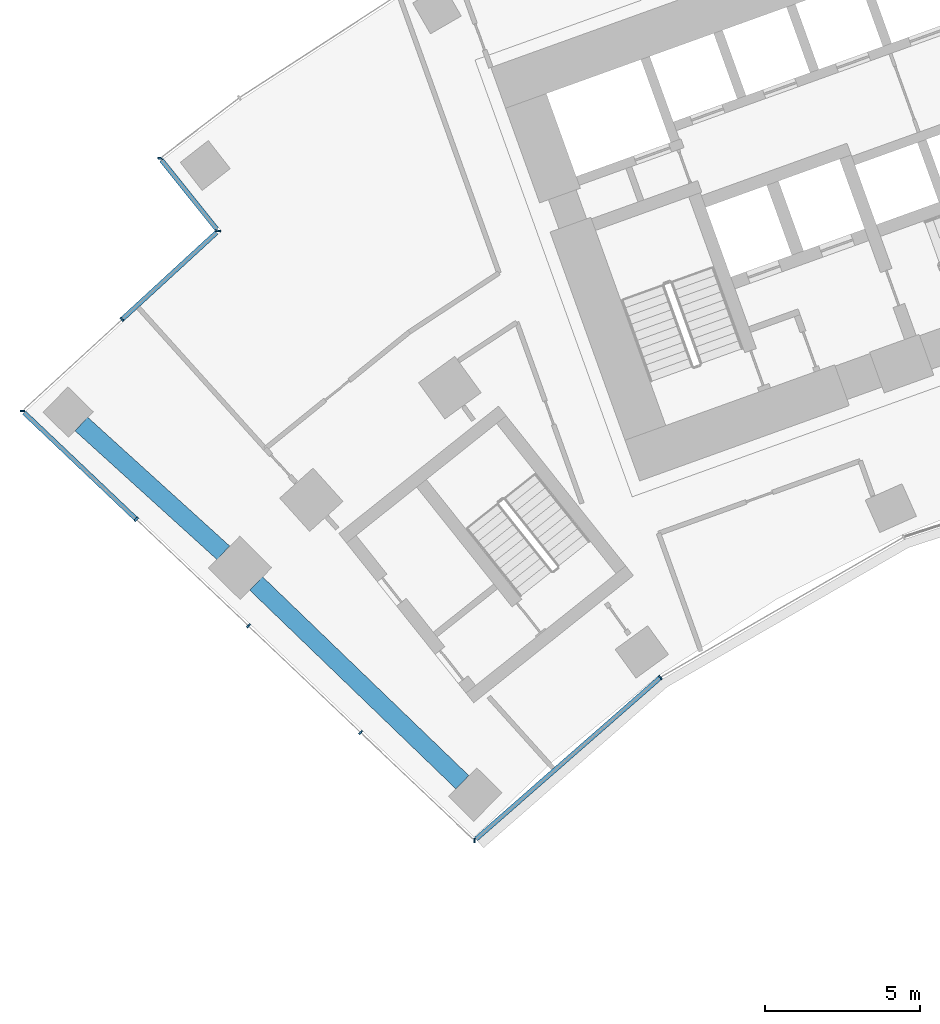
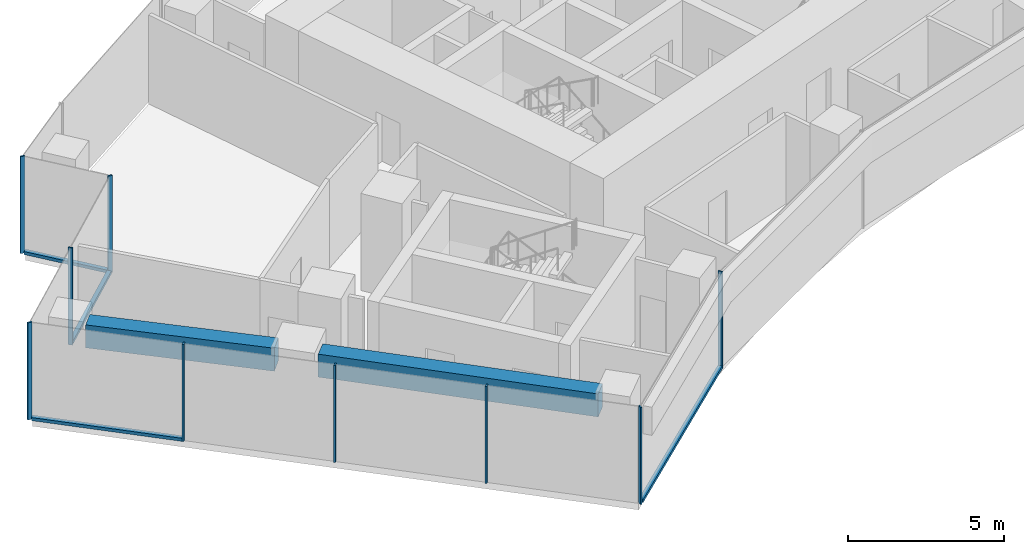
# One storey, part 2 of 19: 13 members, 2 beams, 4 elements without a shape of their own.
"""IFC4 building model written with IfcOpenShell, lengths in metres."""

from ifc_helpers import new_model, si_unit, direction, frame, origin, origin_2d, place, context, subcontext, project, spatial, rectangle, extrude, material, layer, layer_set, material_profile, profile_set, type_object, element, aggregate, save


model = new_model("IFC4")

# Units and contexts
model_context = context("Model", 3, precision=1e-05, world=origin(), true_north=direction((0.0, 1.0)))
body_context = subcontext(model_context, "Body", "Model", "MODEL_VIEW")
ifc_project = project(units=[si_unit("LENGTHUNIT", "METRE"), si_unit("AREAUNIT", "SQUARE_METRE"), si_unit("VOLUMEUNIT", "CUBIC_METRE"), si_unit("PLANEANGLEUNIT", "RADIAN"), si_unit("MASSUNIT", "GRAM", prefix="KILO")], contexts=[model_context])

# Site, building, storey
site_placement = place(None, origin())
site = spatial("IfcSite", under=ifc_project, at=site_placement, CompositionType="ELEMENT")
building_placement = place(site_placement, origin())
building = spatial("IfcBuilding", under=site, at=building_placement, Name="Stone Belt Terrace Tower", CompositionType="ELEMENT")
storey_placement = place(building_placement, frame((0.0, 0.0, 128.800048828125)))
storey = spatial("IfcBuildingStorey", under=building, at=storey_placement, Name="L31", CompositionType="ELEMENT", Elevation=128.800048828125)

# Curtain wall, members
ifc_material_1 = material(Name="Aluminium 6063-T6 anodised frame", Category="aluminium")
ifc_layer_1 = layer(ifc_material_1, 0.14990234375)
ifc_layer_set_1 = layer_set([ifc_layer_1], Name="CW-B unitised concave-face curtain wall")
curtain_wall_type_1 = type_object("IfcCurtainWallType", Name="CW-B unitised concave-face curtain wall", PredefinedType="NOTDEFINED", material=ifc_layer_set_1)
curtain_wall_1_placement = place(storey_placement, origin())
curtain_wall_1 = element("IfcCurtainWall", 1, at=curtain_wall_1_placement, inside=storey, type_object=curtain_wall_type_1, Name="CW-B concave face L31", PredefinedType="NOTDEFINED")
ifc_material_profile_1 = material_profile(ifc_material_1, rectangle(XDim=0.14990234375, YDim=0.050048828125, at=origin_2d()), Name="Aluminium 6063-T6 50x150")
ifc_profile_set_1 = profile_set([ifc_material_profile_1], Name="Aluminium 6063-T6 anodised frame")
member_type_1 = type_object("IfcMemberType", Name="CW-B mullion 50 x 150", PredefinedType="MULLION", material=ifc_profile_set_1)
member_1_placement = place(storey_placement, frame((-31.535888671875, 29.863037109375, 0.0), z_axis=(0.0, 0.0, 1.0), x_axis=(0.020135351708, 0.999797263255, 0.0)))
member_1 = element("IfcMember", 2, at=member_1_placement, type_object=member_type_1, Name="CW-B mullion 1", PredefinedType="MULLION", context=body_context, shape_type="SweptSolid", body=[
    extrude(rectangle(XDim=0.14990234375, YDim=0.050048828125, at=origin_2d()), origin(), (0.0, 0.0, 1.0), 3.800048828125),
])
member_2_placement = place(storey_placement, frame((-25.524658203125, 35.130859375, 0.0), z_axis=(0.0, 0.0, 1.0), x_axis=(-0.582341737817, 0.812944094263, 0.0)))
member_2 = element("IfcMember", 3, at=member_2_placement, type_object=member_type_1, Name="CW-B mullion 2", PredefinedType="MULLION", context=body_context, shape_type="SweptSolid", body=[
    extrude(rectangle(XDim=0.14990234375, YDim=0.050048828125, at=origin_2d()), origin(), (0.0, 0.0, 1.0), 3.800048828125),
])
ifc_material_profile_2 = material_profile(ifc_material_1, rectangle(XDim=0.14990234375, YDim=0.1201171875, at=origin_2d()), Name="Aluminium 6063-T6 150x120")
ifc_profile_set_2 = profile_set([ifc_material_profile_2], Name="Aluminium 6063-T6 anodised frame")
member_type_2 = type_object("IfcMemberType", Name="CW-B transom 120 x 150", PredefinedType="USERDEFINED", material=ifc_profile_set_2)
member_3_placement = place(storey_placement, frame((-31.48388671875, 29.908447265625, 0.06005859375), z_axis=(0.752060929485, 0.659093588455, 0.0), x_axis=(-0.659093588455, 0.752060929485, 0.0)))
member_3 = element("IfcMember", 4, at=member_3_placement, type_object=member_type_2, Name="CW-B transom 1.1", ObjectType="TRANSOM", PredefinedType="USERDEFINED", context=body_context, shape_type="SweptSolid", body=[
    extrude(rectangle(XDim=0.14990234375, YDim=0.1201171875, at=origin_2d()), origin(), (0.0, 0.0, 1.0), 7.891357421875),
])
aggregate(curtain_wall_1, [member_1, member_2, member_3])

# Curtain wall, member
ifc_layer_2 = layer(ifc_material_1, 0.14990234375)
ifc_layer_set_2 = layer_set([ifc_layer_2], Name="CW-C stick curtain wall, horn ends and notches")
curtain_wall_type_2 = type_object("IfcCurtainWallType", Name="CW-C stick curtain wall, horn ends and notches", PredefinedType="NOTDEFINED", material=ifc_layer_set_2)
curtain_wall_2_placement = place(storey_placement, origin())
curtain_wall_2 = element("IfcCurtainWall", 5, at=curtain_wall_2_placement, inside=storey, type_object=curtain_wall_type_2, Name="CW-C notch face L31", PredefinedType="NOTDEFINED")
ifc_material_profile_3 = material_profile(ifc_material_1, rectangle(XDim=0.14990234375, YDim=0.06005859375, at=origin_2d()), Name="Aluminium 6063-T6 60x150")
ifc_profile_set_3 = profile_set([ifc_material_profile_3], Name="Aluminium 6063-T6 anodised frame")
member_type_3 = type_object("IfcMemberType", Name="CW-C mullion 60 x 150", PredefinedType="MULLION", material=ifc_profile_set_3)
member_4_placement = place(storey_placement, frame((-41.69189453125, 51.90625, 0.0), z_axis=(0.0, 0.0, 1.0), x_axis=(0.992610915528, -0.121340720183, 0.0)))
member_4 = element("IfcMember", 6, at=member_4_placement, type_object=member_type_3, Name="CW-C mullion 1", PredefinedType="MULLION", context=body_context, shape_type="SweptSolid", body=[
    extrude(rectangle(XDim=0.14990234375, YDim=0.06005859375, at=origin_2d()), origin(), (0.0, 0.0, 1.0), 3.800048828125),
])

# Curtain wall, members
curtain_wall_3_placement = place(storey_placement, origin())
curtain_wall_3 = element("IfcCurtainWall", 7, at=curtain_wall_3_placement, inside=storey, type_object=curtain_wall_type_2, Name="CW-C notch face L31", PredefinedType="NOTDEFINED")
member_5_placement = place(storey_placement, frame((-39.8115234375, 49.56005859375, 0.0), z_axis=(0.0, 0.0, 1.0), x_axis=(0.99711393405, -0.07591971103, 0.0)))
member_5 = element("IfcMember", 8, at=member_5_placement, type_object=member_type_3, Name="CW-C mullion 1", PredefinedType="MULLION", context=body_context, shape_type="SweptSolid", body=[
    extrude(rectangle(XDim=0.14990234375, YDim=0.06005859375, at=origin_2d()), origin(), (0.0, 0.0, 1.0), 3.800048828125),
])
member_6_placement = place(storey_placement, frame((-42.92138671875, 46.701904296875, 0.0), z_axis=(0.0, 0.0, 1.0), x_axis=(0.676676945985, -0.736280049148, 0.0)))
member_6 = element("IfcMember", 9, at=member_6_placement, type_object=member_type_3, Name="CW-C mullion 2", PredefinedType="MULLION", context=body_context, shape_type="SweptSolid", body=[
    extrude(rectangle(XDim=0.14990234375, YDim=0.06005859375, at=origin_2d()), origin(), (0.0, 0.0, 1.0), 3.800048828125),
])

curtain_wall_4_placement = place(storey_placement, origin())
curtain_wall_4 = element("IfcCurtainWall", 10, at=curtain_wall_4_placement, inside=storey, type_object=curtain_wall_type_2, Name="CW-C end face L31", PredefinedType="NOTDEFINED")
member_7_placement = place(storey_placement, frame((-46.141845703125, 43.7421875, 0.0), z_axis=(0.0, 0.0, 1.0), x_axis=(0.999965358551, -0.008323562836, 0.0)))
member_7 = element("IfcMember", 11, at=member_7_placement, type_object=member_type_3, Name="CW-C mullion 1", PredefinedType="MULLION", context=body_context, shape_type="SweptSolid", body=[
    extrude(rectangle(XDim=0.14990234375, YDim=0.06005859375, at=origin_2d()), origin(), (0.0, 0.0, 1.0), 3.800048828125),
])
member_8_placement = place(storey_placement, frame((-42.459228515625, 40.24267578125, 0.0), z_axis=(0.0, 0.0, 1.0), x_axis=(0.688839705238, 0.72491369175, 0.0)))
member_8 = element("IfcMember", 12, at=member_8_placement, type_object=member_type_3, Name="CW-C mullion 2", PredefinedType="MULLION", context=body_context, shape_type="SweptSolid", body=[
    extrude(rectangle(XDim=0.14990234375, YDim=0.06005859375, at=origin_2d()), origin(), (0.0, 0.0, 1.0), 3.800048828125),
])
member_9_placement = place(storey_placement, frame((-38.83447265625, 36.798583984375, 0.0), z_axis=(0.0, 0.0, 1.0), x_axis=(0.688839705238, 0.72491369175, 0.0)))
member_9 = element("IfcMember", 13, at=member_9_placement, type_object=member_type_3, Name="CW-C mullion 3", PredefinedType="MULLION", context=body_context, shape_type="SweptSolid", body=[
    extrude(rectangle(XDim=0.14990234375, YDim=0.06005859375, at=origin_2d()), origin(), (0.0, 0.0, 1.0), 3.800048828125),
])
member_10_placement = place(storey_placement, frame((-35.2099609375, 33.354248046875, 0.0), z_axis=(0.0, 0.0, 1.0), x_axis=(0.688839705238, 0.72491369175, 0.0)))
member_10 = element("IfcMember", 14, at=member_10_placement, type_object=member_type_3, Name="CW-C mullion 4", PredefinedType="MULLION", context=body_context, shape_type="SweptSolid", body=[
    extrude(rectangle(XDim=0.14990234375, YDim=0.06005859375, at=origin_2d()), origin(), (0.0, 0.0, 1.0), 3.800048828125),
])

# Member
ifc_material_profile_4 = material_profile(ifc_material_1, rectangle(XDim=0.14990234375, YDim=0.1201171875, at=origin_2d()), Name="Aluminium 6063-T6 150x120")
ifc_profile_set_4 = profile_set([ifc_material_profile_4], Name="Aluminium 6063-T6 anodised frame")
member_type_4 = type_object("IfcMemberType", Name="CW-C transom 120 x 150", PredefinedType="USERDEFINED", material=ifc_profile_set_4)
member_11_placement = place(storey_placement, frame((-41.645263671875, 51.84814453125, 0.06005859375), z_axis=(0.625350914086, -0.780343664197, 0.0), x_axis=(0.780343664197, 0.625350914086, 0.0)))
member_11 = element("IfcMember", 15, at=member_11_placement, type_object=member_type_4, Name="CW-C transom 1.1", ObjectType="TRANSOM", PredefinedType="USERDEFINED", context=body_context, shape_type="SweptSolid", body=[
    extrude(rectangle(XDim=0.14990234375, YDim=0.1201171875, at=origin_2d()), origin(), (0.0, 0.0, 1.0), 2.85888671875),
])

aggregate(curtain_wall_2, [member_4, member_11])

member_12_placement = place(storey_placement, frame((-39.865478515625, 49.510498046875, 0.06005859375), z_axis=(-0.736309968185, -0.676644390172, 0.0), x_axis=(0.676644390172, -0.736309968185, 0.0)))
member_12 = element("IfcMember", 16, at=member_12_placement, type_object=member_type_4, Name="CW-C transom 1.1", ObjectType="TRANSOM", PredefinedType="USERDEFINED", context=body_context, shape_type="SweptSolid", body=[
    extrude(rectangle(XDim=0.14990234375, YDim=0.1201171875, at=origin_2d()), origin(), (0.0, 0.0, 1.0), 4.120361328125),
])

aggregate(curtain_wall_3, [member_5, member_6, member_12])

member_13_placement = place(storey_placement, frame((-46.08740234375, 43.6904296875, 0.06005859375), z_axis=(0.72491121173, -0.688842315126, 0.0), x_axis=(0.688842315126, 0.72491121173, 0.0)))
member_13 = element("IfcMember", 17, at=member_13_placement, type_object=member_type_4, Name="CW-C transom 1.1", ObjectType="TRANSOM", PredefinedType="USERDEFINED", context=body_context, shape_type="SweptSolid", body=[
    extrude(rectangle(XDim=0.14990234375, YDim=0.1201171875, at=origin_2d()), origin(), (0.0, 0.0, 1.0), 4.97509765625),
])

aggregate(curtain_wall_4, [member_7, member_8, member_9, member_10, member_13])

# Beams
ifc_material_2 = material(Name="Concrete B60", Category="concrete")
ifc_material_profile_5 = material_profile(ifc_material_2, rectangle(XDim=0.60009765625, YDim=0.89990234375, at=origin_2d()), Name="RC 600x900")
ifc_profile_set_5 = profile_set([ifc_material_profile_5], Name="Concrete B60")
beam_type = type_object("IfcBeamType", Name="Edge beam RC 600x900 B60", PredefinedType="SPANDREL", material=ifc_profile_set_5)
beam_1_placement = place(storey_placement, frame((-31.921875, 31.745849609375, 3.030029296875), z_axis=(-0.720003843897, 0.69397007484, 0.0), x_axis=(-0.69397007484, -0.720003843897, 0.0)))
element("IfcBeam", 18, at=beam_1_placement, inside=storey, type_object=beam_type, Name="Edge beam L31 A P to Q", PredefinedType="SPANDREL", context=body_context, shape_type="SweptSolid", body=[
    extrude(rectangle(XDim=0.60009765625, YDim=0.89990234375, at=origin_2d()), origin(), (0.0, 0.0, 1.0), 9.255859375),
])
beam_2_placement = place(storey_placement, frame((-39.645751953125, 39.159912109375, 3.030029296875), z_axis=(-0.740792015058, 0.671734464224, 0.0), x_axis=(-0.671734464224, -0.740792015058, 0.0)))
element("IfcBeam", 19, at=beam_2_placement, inside=storey, type_object=beam_type, Name="Edge beam L31 A Q to R", PredefinedType="SPANDREL", context=body_context, shape_type="SweptSolid", body=[
    extrude(rectangle(XDim=0.60009765625, YDim=0.89990234375, at=origin_2d()), origin(), (0.0, 0.0, 1.0), 6.19384765625),
])

save(model, "model.ifc")
